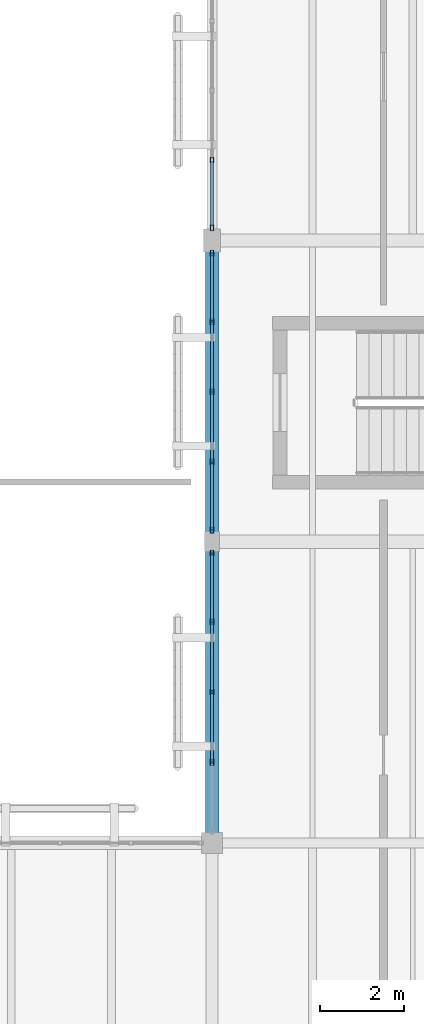
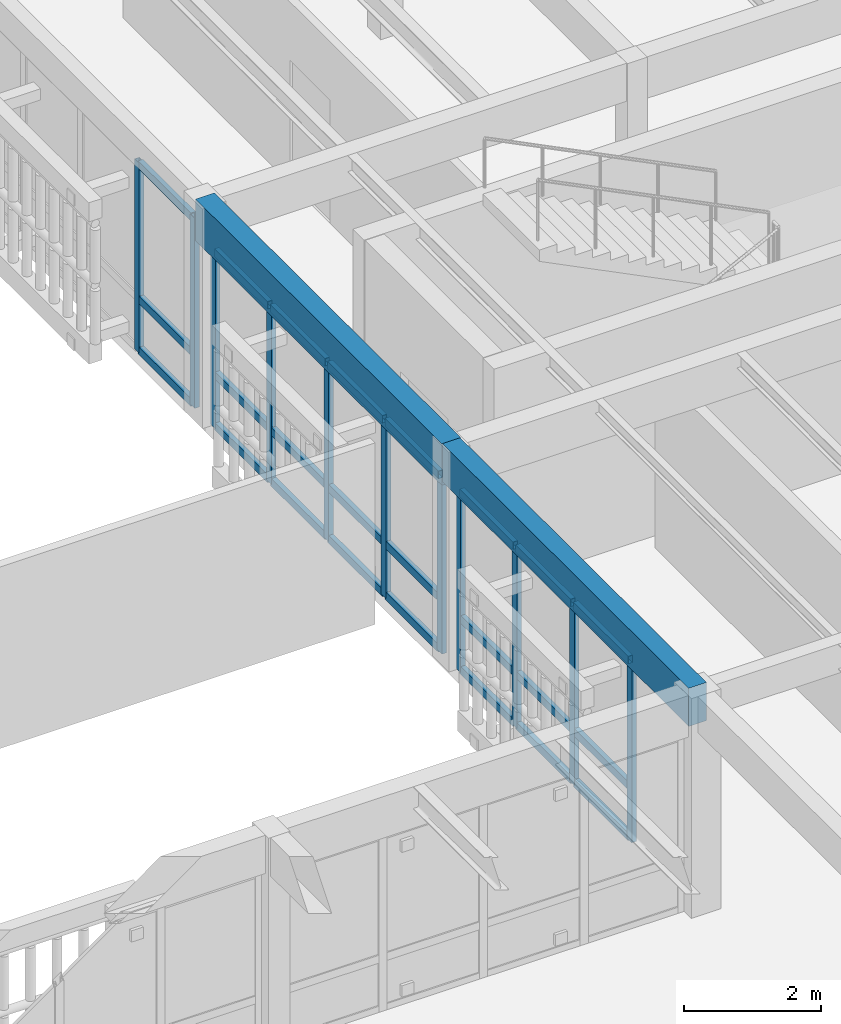
# One storey, part 149 of 217: 35 members, 2 beams, 3 elements without a shape of their own.
"""IFC4 building model written with IfcOpenShell, lengths in metres."""

from ifc_helpers import new_model, si_unit, direction, frame, origin, origin_2d, place, context, subcontext, project, spatial, rectangle, hollow_rectangle, extrude, material, layer, layer_set, material_profile, profile_set, type_object, element, aggregate, save


model = new_model("IFC4")

# Units and contexts
model_context = context("Model", 3, precision=1e-05, world=origin(), true_north=direction((0.0, 1.0)))
body_context = subcontext(model_context, "Body", "Model", "MODEL_VIEW")
ifc_project = project(units=[si_unit("LENGTHUNIT", "METRE"), si_unit("AREAUNIT", "SQUARE_METRE"), si_unit("VOLUMEUNIT", "CUBIC_METRE"), si_unit("PLANEANGLEUNIT", "RADIAN"), si_unit("MASSUNIT", "GRAM", prefix="KILO")], contexts=[model_context])

# Site, building, storey
site_placement = place(None, origin())
site = spatial("IfcSite", under=ifc_project, at=site_placement, CompositionType="ELEMENT")
building_placement = place(site_placement, origin())
building = spatial("IfcBuilding", under=site, at=building_placement, Name="Mazaris Harbour Polytechnic", CompositionType="ELEMENT")
storey_placement = place(building_placement, frame((0.0, 0.0, 9.60009765625)))
storey = spatial("IfcBuildingStorey", under=building, at=storey_placement, Name="L02", CompositionType="ELEMENT", Elevation=9.60009765625)

# Curtain wall, members
ifc_material_1 = material(Name="Anodised Bronze Aluminium and Low-E Glass", Category="aluminium")
ifc_layer = layer(ifc_material_1, 0.169921875, Name="Anodised Bronze Aluminium and Low-E Glass")
ifc_layer_set = layer_set([ifc_layer], Name="Anodised Bronze Aluminium and Low-E Glass")
curtain_wall_type = type_object("IfcCurtainWallType", Name="Studio North-Light Curtain Wall", PredefinedType="NOTDEFINED", material=ifc_layer_set)
curtain_wall_1_placement = place(storey_placement, origin())
curtain_wall_1 = element("IfcCurtainWall", 1, at=curtain_wall_1_placement, inside=storey, type_object=curtain_wall_type, Name="V5 L02 Curtain Wall 245", PredefinedType="NOTDEFINED")
ifc_material_2 = material(Name="Anodised Bronze Steel S355", Category="steel")
ifc_material_profile_1 = material_profile(ifc_material_2, hollow_rectangle(XDim=0.080078125, YDim=0.139892578125, WallThickness=0.00634765625, at=origin_2d()), Name="RHS 80x140x6.3")
ifc_profile_set_1 = profile_set([ifc_material_profile_1], Name="Anodised Bronze Steel S355")
member_type_1 = type_object("IfcMemberType", Name="Curtain Mullion RHS80x140", PredefinedType="MULLION", material=ifc_profile_set_1)
member_1_placement = place(storey_placement, frame((158.39990234375, 68.1279296875, 0.0), z_axis=(0.0, 0.0, 1.0), x_axis=(1.0, 0.0, 0.0)))
member_1 = element("IfcMember", 2, at=member_1_placement, type_object=member_type_1, Name="CW-03 mullion 1", PredefinedType="MULLION", context=body_context, shape_type="SweptSolid", body=[
    extrude(hollow_rectangle(XDim=0.080078125, YDim=0.139892578125, WallThickness=0.00634765625, at=origin_2d()), origin(), (0.0, 0.0, 1.0), 3.22998046875),
])
member_2_placement = place(storey_placement, frame((158.39990234375, 66.486572265625, 0.0), z_axis=(0.0, 0.0, 1.0), x_axis=(1.0, 0.0, 0.0)))
member_2 = element("IfcMember", 3, at=member_2_placement, type_object=member_type_1, Name="CW-03 mullion 2", PredefinedType="MULLION", context=body_context, shape_type="SweptSolid", body=[
    extrude(hollow_rectangle(XDim=0.080078125, YDim=0.139892578125, WallThickness=0.00634765625, at=origin_2d()), origin(), (0.0, 0.0, 1.0), 3.22998046875),
])
member_3_placement = place(storey_placement, frame((158.39990234375, 64.804931640625, 0.0), z_axis=(0.0, 0.0, 1.0), x_axis=(1.0, 0.0, 0.0)))
member_3 = element("IfcMember", 4, at=member_3_placement, type_object=member_type_1, Name="CW-03 mullion 3", PredefinedType="MULLION", context=body_context, shape_type="SweptSolid", body=[
    extrude(hollow_rectangle(XDim=0.080078125, YDim=0.139892578125, WallThickness=0.00634765625, at=origin_2d()), origin(), (0.0, 0.0, 1.0), 3.22998046875),
])
member_4_placement = place(storey_placement, frame((158.39990234375, 63.12353515625, 0.0), z_axis=(0.0, 0.0, 1.0), x_axis=(1.0, 0.0, 0.0)))
member_4 = element("IfcMember", 5, at=member_4_placement, type_object=member_type_1, Name="CW-03 mullion 4", PredefinedType="MULLION", context=body_context, shape_type="SweptSolid", body=[
    extrude(hollow_rectangle(XDim=0.080078125, YDim=0.139892578125, WallThickness=0.00634765625, at=origin_2d()), origin(), (0.0, 0.0, 1.0), 3.22998046875),
])

curtain_wall_2_placement = place(storey_placement, origin())
curtain_wall_2 = element("IfcCurtainWall", 6, at=curtain_wall_2_placement, inside=storey, type_object=curtain_wall_type, Name="V5 L02 Curtain Wall 246", PredefinedType="NOTDEFINED")
member_5_placement = place(storey_placement, frame((158.39990234375, 75.298095703125, 0.0), z_axis=(0.0, 0.0, 1.0), x_axis=(1.0, 0.0, 0.0)))
member_5 = element("IfcMember", 7, at=member_5_placement, type_object=member_type_1, Name="CW-03 mullion 1", PredefinedType="MULLION", context=body_context, shape_type="SweptSolid", body=[
    extrude(hollow_rectangle(XDim=0.080078125, YDim=0.139892578125, WallThickness=0.00634765625, at=origin_2d()), origin(), (0.0, 0.0, 1.0), 3.169921875),
])
member_6_placement = place(storey_placement, frame((158.39990234375, 73.66162109375, 0.0), z_axis=(0.0, 0.0, 1.0), x_axis=(1.0, 0.0, 0.0)))
member_6 = element("IfcMember", 8, at=member_6_placement, type_object=member_type_1, Name="CW-03 mullion 2", PredefinedType="MULLION", context=body_context, shape_type="SweptSolid", body=[
    extrude(hollow_rectangle(XDim=0.080078125, YDim=0.139892578125, WallThickness=0.00634765625, at=origin_2d()), origin(), (0.0, 0.0, 1.0), 3.169921875),
])
member_7_placement = place(storey_placement, frame((158.39990234375, 71.985107421875, 0.0), z_axis=(0.0, 0.0, 1.0), x_axis=(1.0, 0.0, 0.0)))
member_7 = element("IfcMember", 9, at=member_7_placement, type_object=member_type_1, Name="CW-03 mullion 3", PredefinedType="MULLION", context=body_context, shape_type="SweptSolid", body=[
    extrude(hollow_rectangle(XDim=0.080078125, YDim=0.139892578125, WallThickness=0.00634765625, at=origin_2d()), origin(), (0.0, 0.0, 1.0), 3.169921875),
])
member_8_placement = place(storey_placement, frame((158.39990234375, 70.30859375, 0.0), z_axis=(0.0, 0.0, 1.0), x_axis=(1.0, 0.0, 0.0)))
member_8 = element("IfcMember", 10, at=member_8_placement, type_object=member_type_1, Name="CW-03 mullion 4", PredefinedType="MULLION", context=body_context, shape_type="SweptSolid", body=[
    extrude(hollow_rectangle(XDim=0.080078125, YDim=0.139892578125, WallThickness=0.00634765625, at=origin_2d()), origin(), (0.0, 0.0, 1.0), 3.169921875),
])
member_9_placement = place(storey_placement, frame((158.39990234375, 68.672119140625, 0.0), z_axis=(0.0, 0.0, 1.0), x_axis=(1.0, 0.0, 0.0)))
member_9 = element("IfcMember", 11, at=member_9_placement, type_object=member_type_1, Name="CW-03 mullion 5", PredefinedType="MULLION", context=body_context, shape_type="SweptSolid", body=[
    extrude(hollow_rectangle(XDim=0.080078125, YDim=0.139892578125, WallThickness=0.00634765625, at=origin_2d()), origin(), (0.0, 0.0, 1.0), 3.169921875),
])

curtain_wall_3_placement = place(storey_placement, origin())
curtain_wall_3 = element("IfcCurtainWall", 12, at=curtain_wall_3_placement, inside=storey, type_object=curtain_wall_type, Name="V5 L02 Curtain Wall 247", PredefinedType="NOTDEFINED")
member_10_placement = place(storey_placement, frame((158.39990234375, 77.5234375, 0.0), z_axis=(0.0, 0.0, 1.0), x_axis=(1.0, 0.0, 0.0)))
member_10 = element("IfcMember", 13, at=member_10_placement, type_object=member_type_1, Name="CW-03 mullion 4", PredefinedType="MULLION", context=body_context, shape_type="SweptSolid", body=[
    extrude(hollow_rectangle(XDim=0.080078125, YDim=0.139892578125, WallThickness=0.00634765625, at=origin_2d()), origin(), (0.0, 0.0, 1.0), 3.389892578125),
])
member_11_placement = place(storey_placement, frame((158.39990234375, 75.902099609375, 0.0), z_axis=(0.0, 0.0, 1.0), x_axis=(1.0, 0.0, 0.0)))
member_11 = element("IfcMember", 14, at=member_11_placement, type_object=member_type_1, Name="CW-03 mullion 5", PredefinedType="MULLION", context=body_context, shape_type="SweptSolid", body=[
    extrude(hollow_rectangle(XDim=0.080078125, YDim=0.139892578125, WallThickness=0.00634765625, at=origin_2d()), origin(), (0.0, 0.0, 1.0), 3.389892578125),
])

# Member
ifc_material_3 = material(Name="Anodised Bronze Steel S355", Category="steel")
ifc_material_profile_2 = material_profile(ifc_material_3, hollow_rectangle(XDim=0.080078125, YDim=0.139892578125, WallThickness=0.00634765625, at=origin_2d()), Name="RHS 80x140x6.3")
ifc_profile_set_2 = profile_set([ifc_material_profile_2], Name="Anodised Bronze Steel S355")
member_type_2 = type_object("IfcMemberType", Name="Curtain Transom RHS80x140", PredefinedType="USERDEFINED", material=ifc_profile_set_2)
member_12_placement = place(storey_placement, frame((158.39990234375, 68.087890625, 0.039794921875), z_axis=(0.0, -1.0, 0.0), x_axis=(1.0, 0.0, 0.0)))
member_12 = element("IfcMember", 15, at=member_12_placement, type_object=member_type_2, Name="CW-03 transom 1.1", ObjectType="TRANSOM", PredefinedType="USERDEFINED", context=body_context, shape_type="SweptSolid", body=[
    extrude(hollow_rectangle(XDim=0.080078125, YDim=0.139892578125, WallThickness=0.00634765625, at=origin_2d()), origin(), (0.0, 0.0, 1.0), 1.561279296875),
])

member_13_placement = place(storey_placement, frame((158.39990234375, 68.087890625, 0.949951171875), z_axis=(0.0, -1.0, 0.0), x_axis=(1.0, 0.0, 0.0)))
member_13 = element("IfcMember", 16, at=member_13_placement, type_object=member_type_2, Name="CW-03 transom 1.2", ObjectType="TRANSOM", PredefinedType="USERDEFINED", context=body_context, shape_type="SweptSolid", body=[
    extrude(hollow_rectangle(XDim=0.080078125, YDim=0.139892578125, WallThickness=0.00634765625, at=origin_2d()), origin(), (0.0, 0.0, 1.0), 1.561279296875),
])

member_14_placement = place(storey_placement, frame((158.39990234375, 68.087890625, 3.18994140625), z_axis=(0.0, -1.0, 0.0), x_axis=(1.0, 0.0, 0.0)))
member_14 = element("IfcMember", 17, at=member_14_placement, type_object=member_type_2, Name="CW-03 transom 1.3", ObjectType="TRANSOM", PredefinedType="USERDEFINED", context=body_context, shape_type="SweptSolid", body=[
    extrude(hollow_rectangle(XDim=0.080078125, YDim=0.139892578125, WallThickness=0.00634765625, at=origin_2d()), origin(), (0.0, 0.0, 1.0), 1.561279296875),
])

member_15_placement = place(storey_placement, frame((158.39990234375, 66.446533203125, 0.039794921875), z_axis=(0.0, -1.0, 0.0), x_axis=(1.0, 0.0, 0.0)))
member_15 = element("IfcMember", 18, at=member_15_placement, type_object=member_type_2, Name="CW-03 transom 2.1", ObjectType="TRANSOM", PredefinedType="USERDEFINED", context=body_context, shape_type="SweptSolid", body=[
    extrude(hollow_rectangle(XDim=0.080078125, YDim=0.139892578125, WallThickness=0.00634765625, at=origin_2d()), origin(), (0.0, 0.0, 1.0), 1.6015625),
])

member_16_placement = place(storey_placement, frame((158.39990234375, 66.446533203125, 0.949951171875), z_axis=(0.0, -1.0, 0.0), x_axis=(1.0, 0.0, 0.0)))
member_16 = element("IfcMember", 19, at=member_16_placement, type_object=member_type_2, Name="CW-03 transom 2.2", ObjectType="TRANSOM", PredefinedType="USERDEFINED", context=body_context, shape_type="SweptSolid", body=[
    extrude(hollow_rectangle(XDim=0.080078125, YDim=0.139892578125, WallThickness=0.00634765625, at=origin_2d()), origin(), (0.0, 0.0, 1.0), 1.6015625),
])

member_17_placement = place(storey_placement, frame((158.39990234375, 66.446533203125, 3.18994140625), z_axis=(0.0, -1.0, 0.0), x_axis=(1.0, 0.0, 0.0)))
member_17 = element("IfcMember", 20, at=member_17_placement, type_object=member_type_2, Name="CW-03 transom 2.3", ObjectType="TRANSOM", PredefinedType="USERDEFINED", context=body_context, shape_type="SweptSolid", body=[
    extrude(hollow_rectangle(XDim=0.080078125, YDim=0.139892578125, WallThickness=0.00634765625, at=origin_2d()), origin(), (0.0, 0.0, 1.0), 1.6015625),
])

member_18_placement = place(storey_placement, frame((158.39990234375, 64.764892578125, 0.039794921875), z_axis=(0.0, -1.0, 0.0), x_axis=(1.0, 0.0, 0.0)))
member_18 = element("IfcMember", 21, at=member_18_placement, type_object=member_type_2, Name="CW-03 transom 3.1", ObjectType="TRANSOM", PredefinedType="USERDEFINED", context=body_context, shape_type="SweptSolid", body=[
    extrude(hollow_rectangle(XDim=0.080078125, YDim=0.139892578125, WallThickness=0.00634765625, at=origin_2d()), origin(), (0.0, 0.0, 1.0), 1.601318359375),
])

member_19_placement = place(storey_placement, frame((158.39990234375, 64.764892578125, 0.949951171875), z_axis=(0.0, -1.0, 0.0), x_axis=(1.0, 0.0, 0.0)))
member_19 = element("IfcMember", 22, at=member_19_placement, type_object=member_type_2, Name="CW-03 transom 3.2", ObjectType="TRANSOM", PredefinedType="USERDEFINED", context=body_context, shape_type="SweptSolid", body=[
    extrude(hollow_rectangle(XDim=0.080078125, YDim=0.139892578125, WallThickness=0.00634765625, at=origin_2d()), origin(), (0.0, 0.0, 1.0), 1.601318359375),
])

member_20_placement = place(storey_placement, frame((158.39990234375, 64.764892578125, 3.18994140625), z_axis=(0.0, -1.0, 0.0), x_axis=(1.0, 0.0, 0.0)))
member_20 = element("IfcMember", 23, at=member_20_placement, type_object=member_type_2, Name="CW-03 transom 3.3", ObjectType="TRANSOM", PredefinedType="USERDEFINED", context=body_context, shape_type="SweptSolid", body=[
    extrude(hollow_rectangle(XDim=0.080078125, YDim=0.139892578125, WallThickness=0.00634765625, at=origin_2d()), origin(), (0.0, 0.0, 1.0), 1.601318359375),
])

aggregate(curtain_wall_1, [member_1, member_2, member_3, member_4, member_12, member_13, member_14, member_15, member_16, member_17, member_18, member_19, member_20])

member_21_placement = place(storey_placement, frame((158.39990234375, 75.258056640625, 0.039794921875), z_axis=(0.0, -1.0, 0.0), x_axis=(1.0, 0.0, 0.0)))
member_21 = element("IfcMember", 24, at=member_21_placement, type_object=member_type_2, Name="CW-03 transom 1.1", ObjectType="TRANSOM", PredefinedType="USERDEFINED", context=body_context, shape_type="SweptSolid", body=[
    extrude(hollow_rectangle(XDim=0.080078125, YDim=0.139892578125, WallThickness=0.00634765625, at=origin_2d()), origin(), (0.0, 0.0, 1.0), 1.556640625),
])

member_22_placement = place(storey_placement, frame((158.39990234375, 75.258056640625, 0.949951171875), z_axis=(0.0, -1.0, 0.0), x_axis=(1.0, 0.0, 0.0)))
member_22 = element("IfcMember", 25, at=member_22_placement, type_object=member_type_2, Name="CW-03 transom 1.2", ObjectType="TRANSOM", PredefinedType="USERDEFINED", context=body_context, shape_type="SweptSolid", body=[
    extrude(hollow_rectangle(XDim=0.080078125, YDim=0.139892578125, WallThickness=0.00634765625, at=origin_2d()), origin(), (0.0, 0.0, 1.0), 1.556640625),
])

member_23_placement = place(storey_placement, frame((158.39990234375, 75.258056640625, 3.1298828125), z_axis=(0.0, -1.0, 0.0), x_axis=(1.0, 0.0, 0.0)))
member_23 = element("IfcMember", 26, at=member_23_placement, type_object=member_type_2, Name="CW-03 transom 1.3", ObjectType="TRANSOM", PredefinedType="USERDEFINED", context=body_context, shape_type="SweptSolid", body=[
    extrude(hollow_rectangle(XDim=0.080078125, YDim=0.139892578125, WallThickness=0.00634765625, at=origin_2d()), origin(), (0.0, 0.0, 1.0), 1.556640625),
])

member_24_placement = place(storey_placement, frame((158.39990234375, 73.62158203125, 0.039794921875), z_axis=(0.0, -1.0, 0.0), x_axis=(1.0, 0.0, 0.0)))
member_24 = element("IfcMember", 27, at=member_24_placement, type_object=member_type_2, Name="CW-03 transom 2.1", ObjectType="TRANSOM", PredefinedType="USERDEFINED", context=body_context, shape_type="SweptSolid", body=[
    extrude(hollow_rectangle(XDim=0.080078125, YDim=0.139892578125, WallThickness=0.00634765625, at=origin_2d()), origin(), (0.0, 0.0, 1.0), 1.5966796875),
])

member_25_placement = place(storey_placement, frame((158.39990234375, 73.62158203125, 0.949951171875), z_axis=(0.0, -1.0, 0.0), x_axis=(1.0, 0.0, 0.0)))
member_25 = element("IfcMember", 28, at=member_25_placement, type_object=member_type_2, Name="CW-03 transom 2.2", ObjectType="TRANSOM", PredefinedType="USERDEFINED", context=body_context, shape_type="SweptSolid", body=[
    extrude(hollow_rectangle(XDim=0.080078125, YDim=0.139892578125, WallThickness=0.00634765625, at=origin_2d()), origin(), (0.0, 0.0, 1.0), 1.5966796875),
])

member_26_placement = place(storey_placement, frame((158.39990234375, 73.62158203125, 3.1298828125), z_axis=(0.0, -1.0, 0.0), x_axis=(1.0, 0.0, 0.0)))
member_26 = element("IfcMember", 29, at=member_26_placement, type_object=member_type_2, Name="CW-03 transom 2.3", ObjectType="TRANSOM", PredefinedType="USERDEFINED", context=body_context, shape_type="SweptSolid", body=[
    extrude(hollow_rectangle(XDim=0.080078125, YDim=0.139892578125, WallThickness=0.00634765625, at=origin_2d()), origin(), (0.0, 0.0, 1.0), 1.5966796875),
])

member_27_placement = place(storey_placement, frame((158.39990234375, 71.945068359375, 0.039794921875), z_axis=(0.0, -1.0, 0.0), x_axis=(1.0, 0.0, 0.0)))
member_27 = element("IfcMember", 30, at=member_27_placement, type_object=member_type_2, Name="CW-03 transom 3.1", ObjectType="TRANSOM", PredefinedType="USERDEFINED", context=body_context, shape_type="SweptSolid", body=[
    extrude(hollow_rectangle(XDim=0.080078125, YDim=0.139892578125, WallThickness=0.00634765625, at=origin_2d()), origin(), (0.0, 0.0, 1.0), 1.5966796875),
])

member_28_placement = place(storey_placement, frame((158.39990234375, 71.945068359375, 0.949951171875), z_axis=(0.0, -1.0, 0.0), x_axis=(1.0, 0.0, 0.0)))
member_28 = element("IfcMember", 31, at=member_28_placement, type_object=member_type_2, Name="CW-03 transom 3.2", ObjectType="TRANSOM", PredefinedType="USERDEFINED", context=body_context, shape_type="SweptSolid", body=[
    extrude(hollow_rectangle(XDim=0.080078125, YDim=0.139892578125, WallThickness=0.00634765625, at=origin_2d()), origin(), (0.0, 0.0, 1.0), 1.5966796875),
])

member_29_placement = place(storey_placement, frame((158.39990234375, 71.945068359375, 3.1298828125), z_axis=(0.0, -1.0, 0.0), x_axis=(1.0, 0.0, 0.0)))
member_29 = element("IfcMember", 32, at=member_29_placement, type_object=member_type_2, Name="CW-03 transom 3.3", ObjectType="TRANSOM", PredefinedType="USERDEFINED", context=body_context, shape_type="SweptSolid", body=[
    extrude(hollow_rectangle(XDim=0.080078125, YDim=0.139892578125, WallThickness=0.00634765625, at=origin_2d()), origin(), (0.0, 0.0, 1.0), 1.5966796875),
])

member_30_placement = place(storey_placement, frame((158.39990234375, 70.2685546875, 0.039794921875), z_axis=(0.0, -1.0, 0.0), x_axis=(1.0, 0.0, 0.0)))
member_30 = element("IfcMember", 33, at=member_30_placement, type_object=member_type_2, Name="CW-03 transom 4.1", ObjectType="TRANSOM", PredefinedType="USERDEFINED", context=body_context, shape_type="SweptSolid", body=[
    extrude(hollow_rectangle(XDim=0.080078125, YDim=0.139892578125, WallThickness=0.00634765625, at=origin_2d()), origin(), (0.0, 0.0, 1.0), 1.556640625),
])

member_31_placement = place(storey_placement, frame((158.39990234375, 70.2685546875, 0.949951171875), z_axis=(0.0, -1.0, 0.0), x_axis=(1.0, 0.0, 0.0)))
member_31 = element("IfcMember", 34, at=member_31_placement, type_object=member_type_2, Name="CW-03 transom 4.2", ObjectType="TRANSOM", PredefinedType="USERDEFINED", context=body_context, shape_type="SweptSolid", body=[
    extrude(hollow_rectangle(XDim=0.080078125, YDim=0.139892578125, WallThickness=0.00634765625, at=origin_2d()), origin(), (0.0, 0.0, 1.0), 1.556640625),
])

member_32_placement = place(storey_placement, frame((158.39990234375, 70.2685546875, 3.1298828125), z_axis=(0.0, -1.0, 0.0), x_axis=(1.0, 0.0, 0.0)))
member_32 = element("IfcMember", 35, at=member_32_placement, type_object=member_type_2, Name="CW-03 transom 4.3", ObjectType="TRANSOM", PredefinedType="USERDEFINED", context=body_context, shape_type="SweptSolid", body=[
    extrude(hollow_rectangle(XDim=0.080078125, YDim=0.139892578125, WallThickness=0.00634765625, at=origin_2d()), origin(), (0.0, 0.0, 1.0), 1.556640625),
])

aggregate(curtain_wall_2, [member_5, member_6, member_7, member_8, member_9, member_21, member_22, member_23, member_24, member_25, member_26, member_27, member_28, member_29, member_30, member_31, member_32])

member_33_placement = place(storey_placement, frame((158.39990234375, 77.4833984375, 0.039794921875), z_axis=(0.0, -1.0, 0.0), x_axis=(1.0, 0.0, 0.0)))
member_33 = element("IfcMember", 36, at=member_33_placement, type_object=member_type_2, Name="CW-03 transom 4.1", ObjectType="TRANSOM", PredefinedType="USERDEFINED", context=body_context, shape_type="SweptSolid", body=[
    extrude(hollow_rectangle(XDim=0.080078125, YDim=0.139892578125, WallThickness=0.00634765625, at=origin_2d()), origin(), (0.0, 0.0, 1.0), 1.54150390625),
])

member_34_placement = place(storey_placement, frame((158.39990234375, 77.4833984375, 0.949951171875), z_axis=(0.0, -1.0, 0.0), x_axis=(1.0, 0.0, 0.0)))
member_34 = element("IfcMember", 37, at=member_34_placement, type_object=member_type_2, Name="CW-03 transom 4.2", ObjectType="TRANSOM", PredefinedType="USERDEFINED", context=body_context, shape_type="SweptSolid", body=[
    extrude(hollow_rectangle(XDim=0.080078125, YDim=0.139892578125, WallThickness=0.00634765625, at=origin_2d()), origin(), (0.0, 0.0, 1.0), 1.54150390625),
])

member_35_placement = place(storey_placement, frame((158.39990234375, 77.4833984375, 3.349853515625), z_axis=(0.0, -1.0, 0.0), x_axis=(1.0, 0.0, 0.0)))
member_35 = element("IfcMember", 38, at=member_35_placement, type_object=member_type_2, Name="CW-03 transom 4.3", ObjectType="TRANSOM", PredefinedType="USERDEFINED", context=body_context, shape_type="SweptSolid", body=[
    extrude(hollow_rectangle(XDim=0.080078125, YDim=0.139892578125, WallThickness=0.00634765625, at=origin_2d()), origin(), (0.0, 0.0, 1.0), 1.54150390625),
])

aggregate(curtain_wall_3, [member_10, member_11, member_33, member_34, member_35])

# Beams
ifc_material_4 = material(Name="Glulam GL32h", Category="wood")
ifc_material_profile_3 = material_profile(ifc_material_4, rectangle(XDim=0.300048828125, YDim=0.679931640625, at=origin_2d()), Name="RECT300x680")
ifc_profile_set_3 = profile_set([ifc_material_profile_3], Name="Glulam GL32h")
beam_type_1 = type_object("IfcBeamType", Name="Glulam Girder 300x680", PredefinedType="BEAM", material=ifc_profile_set_3)
beam_1_placement = place(storey_placement, frame((158.39990234375, 61.199951171875, 3.579833984375), z_axis=(0.0, 1.0, 0.0), x_axis=(-1.0, 0.0, 0.0)))
element("IfcBeam", 39, at=beam_1_placement, inside=storey, type_object=beam_type_1, Name="V5 L02 Tie Girder 3203", PredefinedType="BEAM", context=body_context, shape_type="SweptSolid", body=[
    extrude(rectangle(XDim=0.300048828125, YDim=0.679931640625, at=origin_2d()), origin(), (0.0, 0.0, 1.0), 7.199951171875),
])
ifc_material_5 = material(Name="Glulam GL32h", Category="wood")
ifc_material_profile_4 = material_profile(ifc_material_5, rectangle(XDim=0.320068359375, YDim=0.739990234375, at=origin_2d()), Name="RECT320x740")
ifc_profile_set_4 = profile_set([ifc_material_profile_4], Name="Glulam GL32h")
beam_type_2 = type_object("IfcBeamType", Name="Glulam Girder 320x740", PredefinedType="BEAM", material=ifc_profile_set_4)
beam_2_placement = place(storey_placement, frame((158.39990234375, 68.39990234375, 3.5498046875), z_axis=(0.0, 1.0, 0.0), x_axis=(-1.0, 0.0, 0.0)))
element("IfcBeam", 40, at=beam_2_placement, inside=storey, type_object=beam_type_2, Name="V5 L02 Tie Girder 3204", PredefinedType="BEAM", context=body_context, shape_type="SweptSolid", body=[
    extrude(rectangle(XDim=0.320068359375, YDim=0.739990234375, at=origin_2d()), origin(), (0.0, 0.0, 1.0), 7.2001953125),
])

save(model, "model.ifc")
